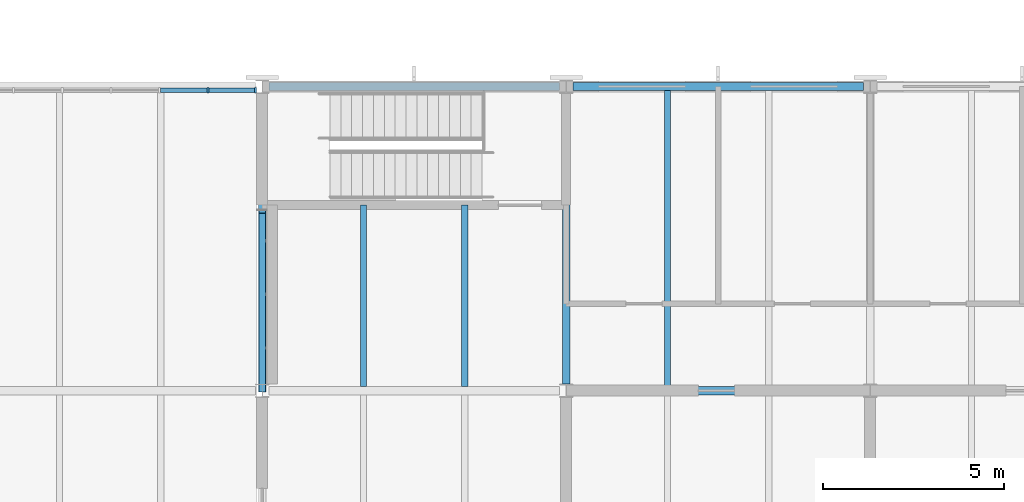
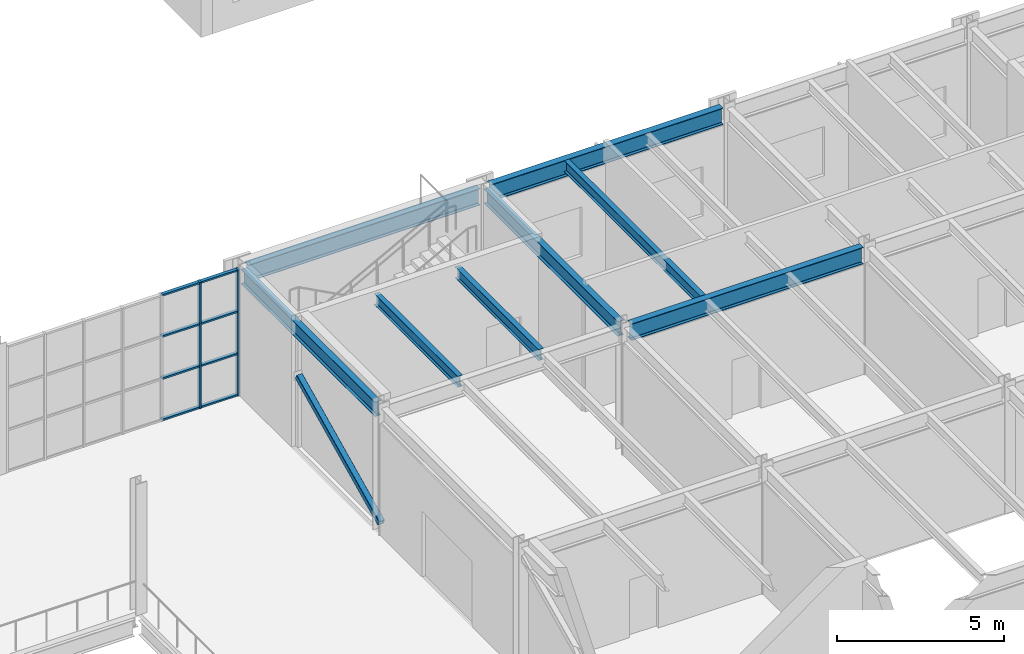
# One storey, part 44 of 127: 11 members, 8 beams, 1 element without a shape of its own.
"""IFC4 building model written with IfcOpenShell, lengths in metres."""

from ifc_helpers import new_model, si_unit, direction, frame, origin, origin_2d, place, context, subcontext, project, spatial, rectangle, hollow_rectangle, i_section, extrude, material, material_profile, profile_set, type_object, element, aggregate, save


model = new_model("IFC4")

# Units and contexts
model_context = context("Model", 3, precision=1e-05, world=origin(), true_north=direction((0.0, 1.0)))
body_context = subcontext(model_context, "Body", "Model", "MODEL_VIEW")
ifc_project = project(units=[si_unit("LENGTHUNIT", "METRE"), si_unit("AREAUNIT", "SQUARE_METRE"), si_unit("VOLUMEUNIT", "CUBIC_METRE"), si_unit("PLANEANGLEUNIT", "RADIAN"), si_unit("MASSUNIT", "GRAM", prefix="KILO")], contexts=[model_context])

# Site, building, storey
site_placement = place(None, origin())
site = spatial("IfcSite", under=ifc_project, at=site_placement, CompositionType="ELEMENT")
building_placement = place(site_placement, origin())
building = spatial("IfcBuilding", under=site, at=building_placement, Name="Ljudholm Concert House", CompositionType="ELEMENT")
storey_placement = place(building_placement, frame((0.0, 0.0, 5.39990234375)))
storey = spatial("IfcBuildingStorey", under=building, at=storey_placement, Name="L01", CompositionType="ELEMENT", Elevation=5.39990234375)

# Curtain wall, members
ifc_material_1 = material(Name="Aluminium curtain wall with impact-rated laminated glass", Category="aluminium")
curtain_wall_type = type_object("IfcCurtainWallType", Name="CURTAIN WALL 1400", PredefinedType="NOTDEFINED", material=ifc_material_1)
curtain_wall_placement = place(storey_placement, origin())
curtain_wall = element("IfcCurtainWall", 1, at=curtain_wall_placement, inside=storey, type_object=curtain_wall_type, Name="North curtain wall", PredefinedType="NOTDEFINED")
ifc_material_2 = material(Name="Aluminium extrusion", Category="aluminium")
ifc_material_profile_1 = material_profile(ifc_material_2, rectangle(XDim=0.159912109375, YDim=0.06005859375, at=origin_2d()), Name="MULLION 60x160")
ifc_profile_set_1 = profile_set([ifc_material_profile_1], Name="Aluminium extrusion")
member_type_1 = type_object("IfcMemberType", Name="MULLION 60x160", PredefinedType="MULLION", material=ifc_profile_set_1)
member_1_placement = place(storey_placement, frame((52.90673828125, 129.89990234375, 0.0), z_axis=(0.0, 0.0, 1.0), x_axis=(0.0, 1.0, 0.0)))
member_1 = element("IfcMember", 2, at=member_1_placement, type_object=member_type_1, Name="Mullion", PredefinedType="MULLION", context=body_context, shape_type="SweptSolid", body=[
    extrude(rectangle(XDim=0.159912109375, YDim=0.06005859375, at=origin_2d()), origin(), (0.0, 0.0, 1.0), 4.6201171875),
])
member_2_placement = place(storey_placement, frame((54.219970703125, 129.89990234375, 0.0), z_axis=(0.0, 0.0, 1.0), x_axis=(0.0, 1.0, 0.0)))
member_2 = element("IfcMember", 3, at=member_2_placement, type_object=member_type_1, Name="Mullion", PredefinedType="MULLION", context=body_context, shape_type="SweptSolid", body=[
    extrude(rectangle(XDim=0.159912109375, YDim=0.06005859375, at=origin_2d()), origin(), (0.0, 0.0, 1.0), 4.6201171875),
])

# Beams
ifc_material_3 = material(Name="Steel ASTM A992", Category="steel")
ifc_material_profile_2 = material_profile(ifc_material_3, i_section(OverallWidth=0.177734375, OverallDepth=0.406494140625, WebThickness=0.0078125, FlangeThickness=0.012939453125, FilletRadius=0.01025390625, at=origin_2d()), Name="W16X40")
ifc_profile_set_2 = profile_set([ifc_material_profile_2], Name="Steel ASTM A992")
beam_type_1 = type_object("IfcBeamType", Name="STEEL BEAM W16X40", PredefinedType="BEAM", material=ifc_profile_set_2)
for number, where, z_axis, x_axis, name in (
    (4, (57.199951171875, 121.714599609375, 4.4169921875), (0.0, 1.0, 0.0), (-1.0, 0.0, 0.0), "Beam STUDIO-L02-sb-57.2-121.6-1"),
    (5, (60.0, 121.714599609375, 4.4169921875), (0.0, 1.0, 0.0), (-1.0, 0.0, 0.0), "Beam STUDIO-L02-sb-60-121.6-1"),
):
    element("IfcBeam", number, at=place(storey_placement, frame(where, z_axis=z_axis, x_axis=x_axis)), inside=storey, type_object=beam_type_1, Name=name, PredefinedType="BEAM", context=body_context, shape_type="SweptSolid", body=[
        extrude(i_section(OverallWidth=0.177734375, OverallDepth=0.406494140625, WebThickness=0.0078125, FlangeThickness=0.012939453125, FilletRadius=0.01025390625, at=origin_2d()), origin(), (0.0, 0.0, 1.0), 5.010498046875),
    ])
beam_1_placement = place(storey_placement, frame((65.60009765625, 121.714599609375, 4.4169921875), z_axis=(0.0, 1.0, 0.0), x_axis=(-1.0, 0.0, 0.0)))
element("IfcBeam", 6, at=beam_1_placement, inside=storey, type_object=beam_type_1, Name="Beam STUDIO-L02-sb-65.6-121.6", PredefinedType="BEAM", context=body_context, shape_type="SweptSolid", body=[
    extrude(i_section(OverallWidth=0.177734375, OverallDepth=0.406494140625, WebThickness=0.0078125, FlangeThickness=0.012939453125, FilletRadius=0.01025390625, at=origin_2d()), origin(), (0.0, 0.0, 1.0), 8.1708984375),
])
ifc_material_4 = material(Name="Steel ASTM A992", Category="steel")
ifc_material_profile_3 = material_profile(ifc_material_4, i_section(OverallWidth=0.209228515625, OverallDepth=0.533447265625, WebThickness=0.01025390625, FlangeThickness=0.015625, FilletRadius=0.012939453125, at=origin_2d()), Name="W21X62")
ifc_profile_set_3 = profile_set([ifc_material_profile_3], Name="Steel ASTM A992")
beam_type_2 = type_object("IfcBeamType", Name="STEEL BEAM W21X62", PredefinedType="BEAM", material=ifc_profile_set_3)
for number, where, z_axis, x_axis, name in (
    (7, (54.39990234375, 121.78662109375, 4.353515625), (0.0, 1.0, 0.0), (-1.0, 0.0, 0.0), "Beam STUDIO-L02-gy-54.4-121.6"),
    (8, (62.800048828125, 121.78662109375, 4.353515625), (0.0, 1.0, 0.0), (-1.0, 0.0, 0.0), "Beam STUDIO-L02-gy-62.8-121.6"),
):
    element("IfcBeam", number, at=place(storey_placement, frame(where, z_axis=z_axis, x_axis=x_axis)), inside=storey, type_object=beam_type_2, Name=name, PredefinedType="BEAM", context=body_context, shape_type="SweptSolid", body=[
        extrude(i_section(OverallWidth=0.209228515625, OverallDepth=0.533447265625, WebThickness=0.01025390625, FlangeThickness=0.015625, FilletRadius=0.012939453125, at=origin_2d()), origin(), (0.0, 0.0, 1.0), 8.026611328125),
    ])
ifc_material_5 = material(Name="Steel ASTM A992", Category="steel")
ifc_material_profile_4 = material_profile(ifc_material_5, i_section(OverallWidth=0.22900390625, OverallDepth=0.612060546875, WebThickness=0.011962890625, FlangeThickness=0.01953125, FilletRadius=0.0126953125, at=origin_2d()), Name="W24X84")
ifc_profile_set_4 = profile_set([ifc_material_profile_4], Name="Steel ASTM A992")
beam_type_3 = type_object("IfcBeamType", Name="STEEL BEAM W24X84", PredefinedType="BEAM", material=ifc_profile_set_4)
beam_2_placement = place(storey_placement, frame((62.986572265625, 121.60009765625, 4.31396484375), z_axis=(1.0, 0.0, 0.0), x_axis=(0.0, 1.0, 0.0)))
element("IfcBeam", 9, at=beam_2_placement, inside=storey, type_object=beam_type_3, Name="Beam STUDIO-L02-gx-62.8-121.6", PredefinedType="BEAM", context=body_context, shape_type="SweptSolid", body=[
    extrude(i_section(OverallWidth=0.22900390625, OverallDepth=0.612060546875, WebThickness=0.011962890625, FlangeThickness=0.01953125, FilletRadius=0.0126953125, at=origin_2d()), origin(), (0.0, 0.0, 1.0), 8.02685546875),
])
beam_3_placement = place(storey_placement, frame((54.586669921875, 130.0, 4.31396484375), z_axis=(1.0, 0.0, 0.0), x_axis=(0.0, 1.0, 0.0)))
element("IfcBeam", 10, at=beam_3_placement, inside=storey, type_object=beam_type_3, Name="Beam STUDIO-L02-gx-54.4-130", PredefinedType="BEAM", context=body_context, shape_type="SweptSolid", body=[
    extrude(i_section(OverallWidth=0.22900390625, OverallDepth=0.612060546875, WebThickness=0.011962890625, FlangeThickness=0.01953125, FilletRadius=0.0126953125, at=origin_2d()), origin(), (0.0, 0.0, 1.0), 8.026611328125),
])
beam_4_placement = place(storey_placement, frame((62.986572265625, 130.0, 4.31396484375), z_axis=(1.0, 0.0, 0.0), x_axis=(0.0, 1.0, 0.0)))
element("IfcBeam", 11, at=beam_4_placement, inside=storey, type_object=beam_type_3, Name="Beam STUDIO-L02-gx-62.8-130", PredefinedType="BEAM", context=body_context, shape_type="SweptSolid", body=[
    extrude(i_section(OverallWidth=0.22900390625, OverallDepth=0.612060546875, WebThickness=0.011962890625, FlangeThickness=0.01953125, FilletRadius=0.0126953125, at=origin_2d()), origin(), (0.0, 0.0, 1.0), 8.02685546875),
])

# Member
ifc_material_6 = material(Name="Steel ASTM A500 Gr. C", Category="steel")
ifc_material_profile_5 = material_profile(ifc_material_6, hollow_rectangle(XDim=0.203125, YDim=0.203125, WallThickness=0.01171875, InnerFilletRadius=0.005859375, OuterFilletRadius=0.017822265625, at=origin_2d()), Name="HSS8X8X1/2")
ifc_profile_set_5 = profile_set([ifc_material_profile_5], Name="Steel ASTM A500 Gr. C")
member_type_2 = type_object("IfcMemberType", Name="STEEL MEMBER HSS8X8X1/2 BRACE", PredefinedType="BRACE", material=ifc_profile_set_5)
member_3_placement = place(storey_placement, frame((54.39990234375, 121.60009765625, 0.300048828125), z_axis=(0.0, 0.90202329703, 0.431687354012), x_axis=(-1.0, 0.0, 0.0)))
element("IfcMember", 12, at=member_3_placement, inside=storey, type_object=member_type_2, Name="Brace", PredefinedType="BRACE", context=body_context, shape_type="SweptSolid", body=[
    extrude(hollow_rectangle(XDim=0.203125, YDim=0.203125, WallThickness=0.01171875, InnerFilletRadius=0.005859375, OuterFilletRadius=0.017822265625, at=origin_2d()), origin(), (0.0, 0.0, 1.0), 5.476806640625),
])

ifc_material_7 = material(Name="Aluminium extrusion", Category="aluminium")
ifc_material_profile_6 = material_profile(ifc_material_7, rectangle(XDim=0.1201171875, YDim=0.06005859375, at=origin_2d()), Name="TRANSOM 60x120")
ifc_profile_set_6 = profile_set([ifc_material_profile_6], Name="Aluminium extrusion")
member_type_3 = type_object("IfcMemberType", Name="TRANSOM 60x120", PredefinedType="USERDEFINED", material=ifc_profile_set_6)
member_4_placement = place(storey_placement, frame((51.59326171875, 129.89990234375, 0.030029296875), z_axis=(1.0, 0.0, 0.0), x_axis=(0.0, 1.0, 0.0)))
member_4 = element("IfcMember", 13, at=member_4_placement, type_object=member_type_3, Name="Transom", ObjectType="TRANSOM", PredefinedType="USERDEFINED", context=body_context, shape_type="SweptSolid", body=[
    extrude(rectangle(XDim=0.1201171875, YDim=0.06005859375, at=origin_2d()), origin(), (0.0, 0.0, 1.0), 1.283447265625),
])

member_5_placement = place(storey_placement, frame((51.59326171875, 129.89990234375, 1.5400390625), z_axis=(1.0, 0.0, 0.0), x_axis=(0.0, 1.0, 0.0)))
member_5 = element("IfcMember", 14, at=member_5_placement, type_object=member_type_3, Name="Transom", ObjectType="TRANSOM", PredefinedType="USERDEFINED", context=body_context, shape_type="SweptSolid", body=[
    extrude(rectangle(XDim=0.1201171875, YDim=0.06005859375, at=origin_2d()), origin(), (0.0, 0.0, 1.0), 1.283447265625),
])

member_6_placement = place(storey_placement, frame((51.59326171875, 129.89990234375, 3.080078125), z_axis=(1.0, 0.0, 0.0), x_axis=(0.0, 1.0, 0.0)))
member_6 = element("IfcMember", 15, at=member_6_placement, type_object=member_type_3, Name="Transom", ObjectType="TRANSOM", PredefinedType="USERDEFINED", context=body_context, shape_type="SweptSolid", body=[
    extrude(rectangle(XDim=0.1201171875, YDim=0.06005859375, at=origin_2d()), origin(), (0.0, 0.0, 1.0), 1.283447265625),
])

member_7_placement = place(storey_placement, frame((51.59326171875, 129.89990234375, 4.590087890625), z_axis=(1.0, 0.0, 0.0), x_axis=(0.0, 1.0, 0.0)))
member_7 = element("IfcMember", 16, at=member_7_placement, type_object=member_type_3, Name="Transom", ObjectType="TRANSOM", PredefinedType="USERDEFINED", context=body_context, shape_type="SweptSolid", body=[
    extrude(rectangle(XDim=0.1201171875, YDim=0.06005859375, at=origin_2d()), origin(), (0.0, 0.0, 1.0), 1.283447265625),
])

member_8_placement = place(storey_placement, frame((52.936767578125, 129.89990234375, 0.030029296875), z_axis=(1.0, 0.0, 0.0), x_axis=(0.0, 1.0, 0.0)))
member_8 = element("IfcMember", 17, at=member_8_placement, type_object=member_type_3, Name="Transom", ObjectType="TRANSOM", PredefinedType="USERDEFINED", context=body_context, shape_type="SweptSolid", body=[
    extrude(rectangle(XDim=0.1201171875, YDim=0.06005859375, at=origin_2d()), origin(), (0.0, 0.0, 1.0), 1.253173828125),
])

member_9_placement = place(storey_placement, frame((52.936767578125, 129.89990234375, 1.5400390625), z_axis=(1.0, 0.0, 0.0), x_axis=(0.0, 1.0, 0.0)))
member_9 = element("IfcMember", 18, at=member_9_placement, type_object=member_type_3, Name="Transom", ObjectType="TRANSOM", PredefinedType="USERDEFINED", context=body_context, shape_type="SweptSolid", body=[
    extrude(rectangle(XDim=0.1201171875, YDim=0.06005859375, at=origin_2d()), origin(), (0.0, 0.0, 1.0), 1.253173828125),
])

member_10_placement = place(storey_placement, frame((52.936767578125, 129.89990234375, 3.080078125), z_axis=(1.0, 0.0, 0.0), x_axis=(0.0, 1.0, 0.0)))
member_10 = element("IfcMember", 19, at=member_10_placement, type_object=member_type_3, Name="Transom", ObjectType="TRANSOM", PredefinedType="USERDEFINED", context=body_context, shape_type="SweptSolid", body=[
    extrude(rectangle(XDim=0.1201171875, YDim=0.06005859375, at=origin_2d()), origin(), (0.0, 0.0, 1.0), 1.253173828125),
])

member_11_placement = place(storey_placement, frame((52.936767578125, 129.89990234375, 4.590087890625), z_axis=(1.0, 0.0, 0.0), x_axis=(0.0, 1.0, 0.0)))
member_11 = element("IfcMember", 20, at=member_11_placement, type_object=member_type_3, Name="Transom", ObjectType="TRANSOM", PredefinedType="USERDEFINED", context=body_context, shape_type="SweptSolid", body=[
    extrude(rectangle(XDim=0.1201171875, YDim=0.06005859375, at=origin_2d()), origin(), (0.0, 0.0, 1.0), 1.253173828125),
])

aggregate(curtain_wall, [member_1, member_2, member_4, member_5, member_6, member_7, member_8, member_9, member_10, member_11])

save(model, "model.ifc")
